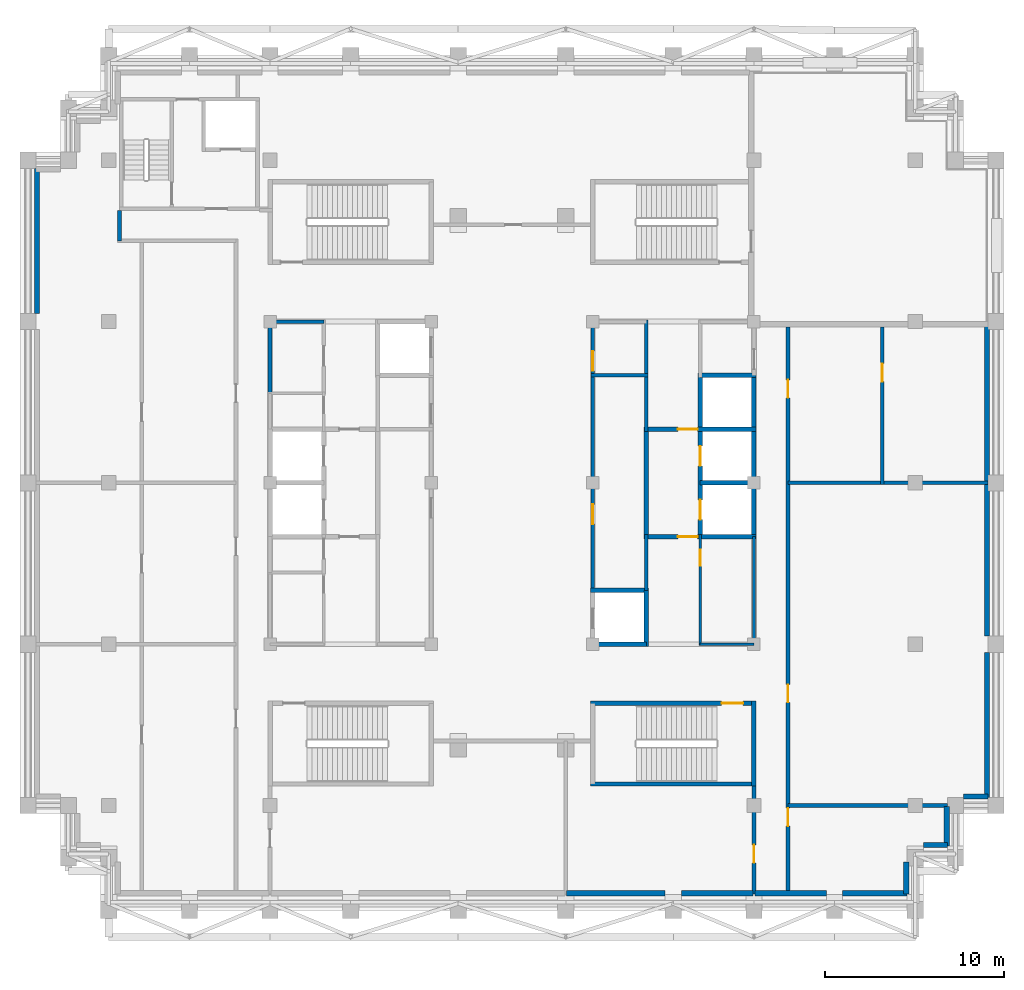
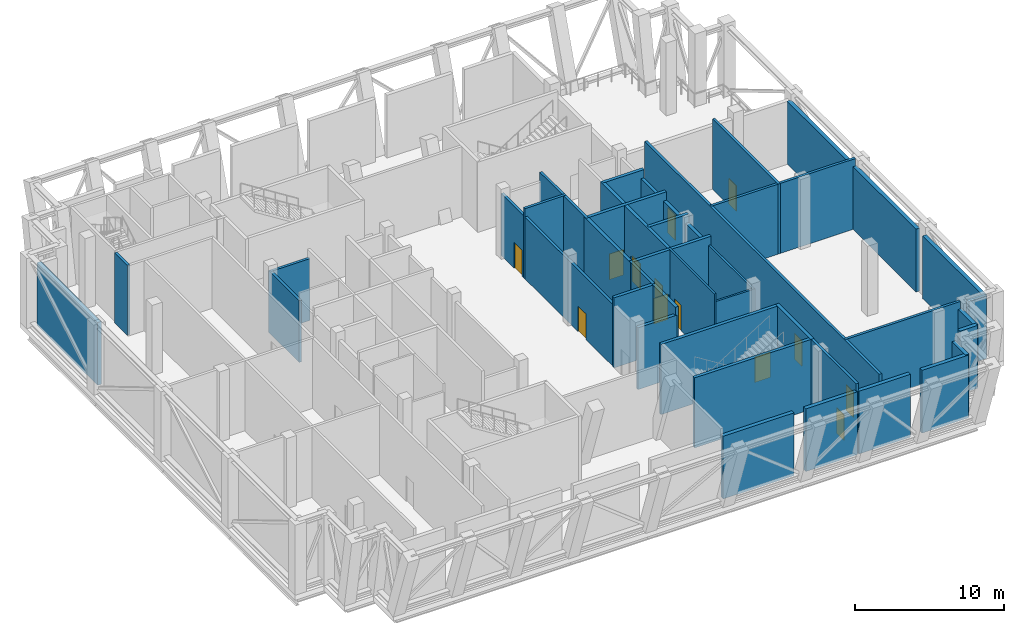
# One storey, part 5 of 9: 40 walls, 13 doors, 13 openings.
"""IFC4 building model written with IfcOpenShell, lengths in metres."""

from ifc_helpers import new_model, si_unit, direction, frame, frame_2d, origin, place, context, subcontext, project, spatial, rectangle, extrude, material, layer, layer_set, type_object, element, fill, save


model = new_model("IFC4")

# Units and contexts
model_context = context("Model", 3, precision=1e-05, world=origin(), true_north=direction((0.0, 1.0)))
body_context = subcontext(model_context, "Body", "Model", "MODEL_VIEW")
ifc_project = project(units=[si_unit("LENGTHUNIT", "METRE"), si_unit("AREAUNIT", "SQUARE_METRE"), si_unit("VOLUMEUNIT", "CUBIC_METRE"), si_unit("PLANEANGLEUNIT", "RADIAN"), si_unit("MASSUNIT", "GRAM", prefix="KILO")], contexts=[model_context])

# Site, building, storey
site_placement = place(None, origin())
site = spatial("IfcSite", under=ifc_project, at=site_placement, CompositionType="ELEMENT")
building_placement = place(site_placement, origin())
building = spatial("IfcBuilding", under=site, at=building_placement, Name="Corbelhall Arena Tower", CompositionType="ELEMENT")
storey_placement = place(building_placement, frame((0.0, 0.0, 320.0)))
storey = spatial("IfcBuildingStorey", under=building, at=storey_placement, Name="L70", CompositionType="ELEMENT", Elevation=320.0)

# Walls
ifc_material_1 = material(Name="Precast concrete C40/50 with granite facing", Category="masonry")
ifc_layer_1 = layer(ifc_material_1, 0.300048828125)
ifc_layer_set_1 = layer_set([ifc_layer_1], Name="EV-IW1 Infill panel 300")
wall_type_1 = type_object("IfcWallType", Name="EV-IW1 Infill panel 300", PredefinedType="SOLIDWALL", material=ifc_layer_set_1)
wall_1_placement = place(storey_placement, frame((-26.5, 17.550048828125, 0.0), z_axis=(0.0, 0.0, 1.0), x_axis=(0.0, -1.0, 0.0)))
element("IfcWall", 1, at=wall_1_placement, inside=storey, type_object=wall_type_1, Name="Infill panel IW1", PredefinedType="SOLIDWALL", context=body_context, shape_type="SweptSolid", body=[
    extrude(rectangle(XDim=8.10009765625, YDim=0.300048828125, at=frame_2d((4.050048828125, 0.0))), origin(), (0.0, 0.0, 1.0), 5.139892578125),
])
wall_2_placement = place(storey_placement, frame((3.050048828125, -22.89990234375, 0.0), z_axis=(0.0, 0.0, 1.0), x_axis=(1.0, 0.0, 0.0)))
element("IfcWall", 2, at=wall_2_placement, inside=storey, type_object=wall_type_1, Name="Infill panel IW1", PredefinedType="SOLIDWALL", context=body_context, shape_type="SweptSolid", body=[
    extrude(rectangle(XDim=5.5, YDim=0.300048828125, at=frame_2d((2.75, 0.0))), origin(), (0.0, 0.0, 1.0), 5.139892578125),
])
for number, where, z_axis, x_axis, name in (
    (3, (9.449951171875, -22.89990234375, 0.0), (0.0, 0.0, 1.0), (1.0, 0.0, 0.0), "Infill panel IW1"),
    (4, (13.550048828125, -22.89990234375, 0.0), (0.0, 0.0, 1.0), (1.0, 0.0, 0.0), "Infill panel IW1"),
):
    element("IfcWall", number, at=place(storey_placement, frame(where, z_axis=z_axis, x_axis=x_axis)), inside=storey, type_object=wall_type_1, Name=name, PredefinedType="SOLIDWALL", context=body_context, shape_type="SweptSolid", body=[
        extrude(rectangle(XDim=4.0, YDim=0.300048828125, at=frame_2d((2.0, 0.0))), origin(), (0.0, 0.0, 1.0), 5.139892578125),
    ])
wall_3_placement = place(storey_placement, frame((18.449951171875, -22.89990234375, 0.0), z_axis=(0.0, 0.0, 1.0), x_axis=(1.0, 0.0, 0.0)))
element("IfcWall", 5, at=wall_3_placement, inside=storey, type_object=wall_type_1, Name="Infill panel IW1", PredefinedType="SOLIDWALL", context=body_context, shape_type="SweptSolid", body=[
    extrude(rectangle(XDim=3.60009765625, YDim=0.300048828125, at=frame_2d((1.800048828125, 0.0))), origin(), (0.0, 0.0, 1.0), 5.139892578125),
])
wall_4_placement = place(storey_placement, frame((22.0, -22.949951171875, 0.0), z_axis=(0.0, 0.0, 1.0), x_axis=(0.0, 1.0, 0.0)))
element("IfcWall", 6, at=wall_4_placement, inside=storey, type_object=wall_type_1, Name="Infill panel IW1", PredefinedType="SOLIDWALL", context=body_context, shape_type="SweptSolid", body=[
    extrude(rectangle(XDim=1.800048828125, YDim=0.300048828125, at=frame_2d((0.89990234375, 0.0))), origin(), (0.0, 0.0, 1.0), 5.139892578125),
])
wall_5_placement = place(storey_placement, frame((22.949951171875, -20.199951171875, 0.0), z_axis=(0.0, 0.0, 1.0), x_axis=(1.0, 0.0, 0.0)))
element("IfcWall", 7, at=wall_5_placement, inside=storey, type_object=wall_type_1, Name="Infill panel IW1", PredefinedType="SOLIDWALL", context=body_context, shape_type="SweptSolid", body=[
    extrude(rectangle(XDim=1.35009765625, YDim=0.300048828125, at=frame_2d((0.675048828125, 0.0))), origin(), (0.0, 0.0, 1.0), 5.139892578125),
])
wall_6_placement = place(storey_placement, frame((24.25, -20.25, 0.0), z_axis=(0.0, 0.0, 1.0), x_axis=(0.0, 1.0, 0.0)))
element("IfcWall", 8, at=wall_6_placement, inside=storey, type_object=wall_type_1, Name="Infill panel IW1", PredefinedType="SOLIDWALL", context=body_context, shape_type="SweptSolid", body=[
    extrude(rectangle(XDim=2.199951171875, YDim=0.300048828125, at=frame_2d((1.10009765625, 0.0))), origin(), (0.0, 0.0, 1.0), 5.139892578125),
])
wall_7_placement = place(storey_placement, frame((25.199951171875, -17.5, 0.0), z_axis=(0.0, 0.0, 1.0), x_axis=(1.0, 0.0, 0.0)))
element("IfcWall", 9, at=wall_7_placement, inside=storey, type_object=wall_type_1, Name="Infill panel IW1", PredefinedType="SOLIDWALL", context=body_context, shape_type="SweptSolid", body=[
    extrude(rectangle(XDim=1.35009765625, YDim=0.300048828125, at=frame_2d((0.675048828125, 0.0))), origin(), (0.0, 0.0, 1.0), 5.139892578125),
])
wall_8_placement = place(storey_placement, frame((26.5, -17.550048828125, 0.0), z_axis=(0.0, 0.0, 1.0), x_axis=(0.0, 1.0, 0.0)))
element("IfcWall", 10, at=wall_8_placement, inside=storey, type_object=wall_type_1, Name="Infill panel IW1", PredefinedType="SOLIDWALL", context=body_context, shape_type="SweptSolid", body=[
    extrude(rectangle(XDim=8.10009765625, YDim=0.300048828125, at=frame_2d((4.050048828125, 0.0))), origin(), (0.0, 0.0, 1.0), 5.139892578125),
])
wall_9_placement = place(storey_placement, frame((26.5, -8.550048828125, 0.0), z_axis=(0.0, 0.0, 1.0), x_axis=(0.0, 1.0, 0.0)))
element("IfcWall", 11, at=wall_9_placement, inside=storey, type_object=wall_type_1, Name="Infill panel IW1", PredefinedType="SOLIDWALL", context=body_context, shape_type="SweptSolid", body=[
    extrude(rectangle(XDim=8.5, YDim=0.300048828125, at=frame_2d((4.25, 0.0))), origin(), (0.0, 0.0, 1.0), 5.139892578125),
])
wall_10_placement = place(storey_placement, frame((26.5, 0.050048828125, 0.0), z_axis=(0.0, 0.0, 1.0), x_axis=(0.0, 1.0, 0.0)))
element("IfcWall", 12, at=wall_10_placement, inside=storey, type_object=wall_type_1, Name="Infill panel IW1", PredefinedType="SOLIDWALL", context=body_context, shape_type="SweptSolid", body=[
    extrude(rectangle(XDim=8.699951171875, YDim=0.300048828125, at=frame_2d((4.35009765625, 0.0))), origin(), (0.0, 0.0, 1.0), 5.139892578125),
])
ifc_material_2 = material(Name="Gypsum board on steel stud, acoustic", Category="steel")
ifc_layer_2 = layer(ifc_material_2, 0.199951171875)
ifc_layer_set_2 = layer_set([ifc_layer_2], Name="IN-W-DM200")
wall_type_2 = type_object("IfcWallType", Name="IN-W-DM200", PredefinedType="PARTITIONING", material=ifc_layer_set_2)
wall_11_placement = place(storey_placement, frame((-21.89990234375, 13.5, 0.0), z_axis=(0.0, 0.0, 1.0), x_axis=(0.0, 1.0, 0.0)))
element("IfcWall", 13, at=wall_11_placement, inside=storey, type_object=wall_type_2, Name="Partition 002", PredefinedType="PARTITIONING", context=body_context, shape_type="SweptSolid", body=[
    extrude(rectangle(XDim=1.699951171875, YDim=0.199951171875, at=frame_2d((0.85009765625, 0.0))), origin(), (0.0, 0.0, 1.0), 5.739990234375),
])

# Wall, opening, door
wall_12_placement = place(storey_placement, frame((13.5, -22.949951171875, 0.0), z_axis=(0.0, 0.0, 1.0), x_axis=(0.0, 1.0, 0.0)))
wall_12 = element("IfcWall", 14, at=wall_12_placement, inside=storey, type_object=wall_type_2, Name="Partition 014", PredefinedType="PARTITIONING", context=body_context, shape_type="SweptSolid", body=[
    extrude(rectangle(XDim=6.27490234375, YDim=0.199951171875, at=frame_2d((3.137451171875, 0.0))), origin(), (0.0, 0.0, 1.0), 5.739990234375),
])
opening_1_placement = place(wall_12_placement, frame((1.75, 0.0, 0.0)))
opening_1 = element("IfcOpeningElement", 15, at=opening_1_placement, cuts=wall_12, Name="Opening 30020", PredefinedType="OPENING", context=body_context, shape_type="SweptSolid", body=[
    extrude(rectangle(XDim=1.0, YDim=2.10009765625, at=frame_2d((0.5, 1.050048828125))), frame((0.0, 0.10009765625, 0.0), z_axis=(0.0, -1.0, 0.0), x_axis=(1.0, 0.0, 0.0)), (0.0, 0.0, 1.0), 0.199951171875),
])
ifc_material_3 = material(Name="Steel door set", Category="steel")
door_type_1 = type_object("IfcDoorType", Name="IN-D-SW100", OperationType="NOTDEFINED", PredefinedType="DOOR", material=ifc_material_3)
door_1_placement = place(opening_1_placement, origin())
door_1 = element("IfcDoor", 16, at=door_1_placement, inside=storey, type_object=door_type_1, Name="Door 020", OperationType="SINGLE_SWING_LEFT", OverallHeight=2.10009765625, OverallWidth=1.0, PredefinedType="DOOR", context=body_context, shape_type="SweptSolid", body=[
    extrude(rectangle(XDim=1.0, YDim=2.10009765625, at=frame_2d((0.5, 1.050048828125))), frame((0.0, 0.02490234375, 0.0), z_axis=(0.0, -1.0, 0.0), x_axis=(1.0, 0.0, 0.0)), (0.0, 0.0, 1.0), 0.050048828125),
])
fill(opening_1, door_1)

# Wall
wall_13_placement = place(storey_placement, frame((15.39990234375, -18.0, 0.0), z_axis=(0.0, 0.0, 1.0), x_axis=(1.0, 0.0, 0.0)))
element("IfcWall", 17, at=wall_13_placement, inside=storey, type_object=wall_type_2, Name="Partition 015", PredefinedType="PARTITIONING", context=body_context, shape_type="SweptSolid", body=[
    extrude(rectangle(XDim=8.900146484375, YDim=0.199951171875, at=frame_2d((4.4501953125, 0.0))), origin(), (0.0, 0.0, 1.0), 5.739990234375),
])

# Wall, openings, doors
wall_14_placement = place(storey_placement, frame((15.39990234375, 8.699951171875, 0.0), z_axis=(0.0, 0.0, 1.0), x_axis=(0.0, -1.0, 0.0)))
wall_14 = element("IfcWall", 18, at=wall_14_placement, inside=storey, type_object=wall_type_2, Name="Partition 016", PredefinedType="PARTITIONING", context=body_context, shape_type="SweptSolid", body=[
    extrude(rectangle(XDim=31.449951171875, YDim=0.199951171875, at=frame_2d((15.72509765625, 0.0))), origin(), (0.0, 0.0, 1.0), 5.739990234375),
])
opening_2_placement = place(wall_14_placement, frame((2.949951171875, 0.0, 0.0)))
opening_2 = element("IfcOpeningElement", 19, at=opening_2_placement, cuts=wall_14, Name="Opening 30027", PredefinedType="OPENING", context=body_context, shape_type="SweptSolid", body=[
    extrude(rectangle(XDim=1.0, YDim=2.10009765625, at=frame_2d((0.5, 1.050048828125))), frame((0.0, 0.10009765625, 0.0), z_axis=(0.0, -1.0, 0.0), x_axis=(1.0, 0.0, 0.0)), (0.0, 0.0, 1.0), 0.199951171875),
])
opening_3_placement = place(wall_14_placement, frame((26.85009765625, 0.0, 0.0)))
opening_3 = element("IfcOpeningElement", 20, at=opening_3_placement, cuts=wall_14, Name="Opening 30029", PredefinedType="OPENING", context=body_context, shape_type="SweptSolid", body=[
    extrude(rectangle(XDim=1.0, YDim=2.10009765625, at=frame_2d((0.5, 1.050048828125))), frame((0.0, 0.10009765625, 0.0), z_axis=(0.0, -1.0, 0.0), x_axis=(1.0, 0.0, 0.0)), (0.0, 0.0, 1.0), 0.199951171875),
])
opening_4_placement = place(wall_14_placement, frame((19.949951171875, 0.0, 0.0)))
opening_4 = element("IfcOpeningElement", 21, at=opening_4_placement, cuts=wall_14, Name="Opening 30030", PredefinedType="OPENING", context=body_context, shape_type="SweptSolid", body=[
    extrude(rectangle(XDim=1.0, YDim=2.10009765625, at=frame_2d((0.5, 1.050048828125))), frame((0.0, 0.10009765625, 0.0), z_axis=(0.0, -1.0, 0.0), x_axis=(1.0, 0.0, 0.0)), (0.0, 0.0, 1.0), 0.199951171875),
])
door_2_placement = place(opening_2_placement, origin())
door_2 = element("IfcDoor", 22, at=door_2_placement, inside=storey, type_object=door_type_1, Name="Door 027", OperationType="SINGLE_SWING_RIGHT", OverallHeight=2.10009765625, OverallWidth=1.0, PredefinedType="DOOR", context=body_context, shape_type="SweptSolid", body=[
    extrude(rectangle(XDim=1.0, YDim=2.10009765625, at=frame_2d((0.5, 1.050048828125))), frame((0.0, 0.02490234375, 0.0), z_axis=(0.0, -1.0, 0.0), x_axis=(1.0, 0.0, 0.0)), (0.0, 0.0, 1.0), 0.050048828125),
])
fill(opening_2, door_2)
door_3_placement = place(opening_3_placement, origin())
door_3 = element("IfcDoor", 23, at=door_3_placement, inside=storey, type_object=door_type_1, Name="Door 029", OperationType="SINGLE_SWING_RIGHT", OverallHeight=2.10009765625, OverallWidth=1.0, PredefinedType="DOOR", context=body_context, shape_type="SweptSolid", body=[
    extrude(rectangle(XDim=1.0, YDim=2.10009765625, at=frame_2d((0.5, 1.050048828125))), frame((0.0, 0.02490234375, 0.0), z_axis=(0.0, -1.0, 0.0), x_axis=(1.0, 0.0, 0.0)), (0.0, 0.0, 1.0), 0.050048828125),
])
fill(opening_3, door_3)
door_4_placement = place(opening_4_placement, origin())
door_4 = element("IfcDoor", 24, at=door_4_placement, inside=storey, type_object=door_type_1, Name="Door 030", OperationType="SINGLE_SWING_LEFT", OverallHeight=2.10009765625, OverallWidth=1.0, PredefinedType="DOOR", context=body_context, shape_type="SweptSolid", body=[
    extrude(rectangle(XDim=1.0, YDim=2.10009765625, at=frame_2d((0.5, 1.050048828125))), frame((0.0, 0.02490234375, 0.0), z_axis=(0.0, -1.0, 0.0), x_axis=(1.0, 0.0, 0.0)), (0.0, 0.0, 1.0), 0.050048828125),
])
fill(opening_4, door_4)

# Wall
wall_15_placement = place(storey_placement, frame((26.550048828125, 0.0, 0.0), z_axis=(0.0, 0.0, 1.0), x_axis=(-1.0, 0.0, 0.0)))
element("IfcWall", 25, at=wall_15_placement, inside=storey, type_object=wall_type_2, Name="Partition 017", PredefinedType="PARTITIONING", context=body_context, shape_type="SweptSolid", body=[
    extrude(rectangle(XDim=11.150146484375, YDim=0.199951171875, at=frame_2d((5.5751953125, 0.0))), origin(), (0.0, 0.0, 1.0), 5.739990234375),
])

# Wall, opening, door
wall_16_placement = place(storey_placement, frame((20.64990234375, 8.699951171875, 0.0), z_axis=(0.0, 0.0, 1.0), x_axis=(0.0, -1.0, 0.0)))
wall_16 = element("IfcWall", 26, at=wall_16_placement, inside=storey, type_object=wall_type_2, Name="Partition 018", PredefinedType="PARTITIONING", context=body_context, shape_type="SweptSolid", body=[
    extrude(rectangle(XDim=8.800048828125, YDim=0.199951171875, at=frame_2d((4.39990234375, 0.0))), origin(), (0.0, 0.0, 1.0), 5.739990234375),
])
opening_5_placement = place(wall_16_placement, frame((2.050048828125, 0.0, 0.0)))
opening_5 = element("IfcOpeningElement", 27, at=opening_5_placement, cuts=wall_16, Name="Opening 30028", PredefinedType="OPENING", context=body_context, shape_type="SweptSolid", body=[
    extrude(rectangle(XDim=1.0, YDim=2.10009765625, at=frame_2d((0.5, 1.050048828125))), frame((0.0, 0.10009765625, 0.0), z_axis=(0.0, -1.0, 0.0), x_axis=(1.0, 0.0, 0.0)), (0.0, 0.0, 1.0), 0.199951171875),
])
door_5_placement = place(opening_5_placement, origin())
door_5 = element("IfcDoor", 28, at=door_5_placement, inside=storey, type_object=door_type_1, Name="Door 028", OperationType="SINGLE_SWING_LEFT", OverallHeight=2.10009765625, OverallWidth=1.0, PredefinedType="DOOR", context=body_context, shape_type="SweptSolid", body=[
    extrude(rectangle(XDim=1.0, YDim=2.10009765625, at=frame_2d((0.5, 1.050048828125))), frame((0.0, 0.02490234375, 0.0), z_axis=(0.0, -1.0, 0.0), x_axis=(1.0, 0.0, 0.0)), (0.0, 0.0, 1.0), 0.050048828125),
])
fill(opening_5, door_5)

# Walls
ifc_material_4 = material(Name="Concrete block wall", Category="concrete")
ifc_layer_3 = layer(ifc_material_4, 0.199951171875)
ifc_layer_set_3 = layer_set([ifc_layer_3], Name="IN-W-RS200")
wall_type_3 = type_object("IfcWallType", Name="IN-W-RS200", PredefinedType="SOLIDWALL", material=ifc_layer_set_3)
wall_17_placement = place(storey_placement, frame((4.39990234375, 6.0, 0.0), z_axis=(0.0, 0.0, 1.0), x_axis=(1.0, 0.0, 0.0)))
element("IfcWall", 29, at=wall_17_placement, inside=storey, type_object=wall_type_3, Name="Partition 029", PredefinedType="SOLIDWALL", context=body_context, shape_type="SweptSolid", body=[
    extrude(rectangle(XDim=3.2001953125, YDim=0.199951171875, at=frame_2d((1.60009765625, 0.0))), origin(), (0.0, 0.0, 1.0), 5.739990234375),
])
wall_18_placement = place(storey_placement, frame((7.5, -2.875, 0.0), z_axis=(0.0, 0.0, 1.0), x_axis=(0.0, -1.0, 0.0)))
element("IfcWall", 30, at=wall_18_placement, inside=storey, type_object=wall_type_3, Name="Partition 032", PredefinedType="SOLIDWALL", context=body_context, shape_type="SweptSolid", body=[
    extrude(rectangle(XDim=3.125, YDim=0.199951171875, at=frame_2d((1.5625, 0.0))), origin(), (0.0, 0.0, 1.0), 5.739990234375),
])
wall_19_placement = place(storey_placement, frame((7.5, 9.10009765625, 0.0), z_axis=(0.0, 0.0, 1.0), x_axis=(0.0, -1.0, 0.0)))
element("IfcWall", 31, at=wall_19_placement, inside=storey, type_object=wall_type_3, Name="Partition 033", PredefinedType="SOLIDWALL", context=body_context, shape_type="SweptSolid", body=[
    extrude(rectangle(XDim=6.22509765625, YDim=0.199951171875, at=frame_2d((3.112548828125, 0.0))), origin(), (0.0, 0.0, 1.0), 5.739990234375),
])
ifc_layer_4 = layer(ifc_material_4, 0.199951171875)
ifc_layer_set_4 = layer_set([ifc_layer_4], Name="IN-W-RS200 under beam 678 mm")
wall_type_4 = type_object("IfcWallType", Name="IN-W-RS200 under beam 678 mm", PredefinedType="SOLIDWALL", material=ifc_layer_set_4)
wall_20_placement = place(storey_placement, frame((-13.5, 5.0, 0.0), z_axis=(0.0, 0.0, 1.0), x_axis=(0.0, 1.0, 0.0)))
element("IfcWall", 32, at=wall_20_placement, inside=storey, type_object=wall_type_4, Name="Partition 020", PredefinedType="SOLIDWALL", context=body_context, shape_type="SweptSolid", body=[
    extrude(rectangle(XDim=4.10009765625, YDim=0.199951171875, at=frame_2d((2.050048828125, 0.0))), origin(), (0.0, 0.0, 1.0), 5.061767578125),
])
wall_21_placement = place(storey_placement, frame((-13.5, 9.0, 0.0), z_axis=(0.0, 0.0, 1.0), x_axis=(1.0, 0.0, 0.0)))
element("IfcWall", 33, at=wall_21_placement, inside=storey, type_object=wall_type_4, Name="Partition 021", PredefinedType="SOLIDWALL", context=body_context, shape_type="SweptSolid", body=[
    extrude(rectangle(XDim=3.0, YDim=0.199951171875, at=frame_2d((1.5, 0.0))), origin(), (0.0, 0.0, 1.0), 5.061767578125),
])

# Wall, openings, doors
wall_22_placement = place(storey_placement, frame((4.5, -6.0, 0.0), z_axis=(0.0, 0.0, 1.0), x_axis=(0.0, 1.0, 0.0)))
wall_22 = element("IfcWall", 34, at=wall_22_placement, inside=storey, type_object=wall_type_4, Name="Partition 030", PredefinedType="SOLIDWALL", context=body_context, shape_type="SweptSolid", body=[
    extrude(rectangle(XDim=15.10009765625, YDim=0.199951171875, at=frame_2d((7.550048828125, 0.0))), origin(), (0.0, 0.0, 1.0), 5.061767578125),
])
opening_6_placement = place(wall_22_placement, frame((3.699951171875, 0.0, 0.0)))
opening_6 = element("IfcOpeningElement", 35, at=opening_6_placement, cuts=wall_22, Name="Opening 30009", PredefinedType="OPENING", context=body_context, shape_type="SweptSolid", body=[
    extrude(rectangle(XDim=1.10009765625, YDim=2.10009765625, at=frame_2d((0.550048828125, 1.050048828125))), frame((0.0, 0.10009765625, 0.0), z_axis=(0.0, -1.0, 0.0), x_axis=(1.0, 0.0, 0.0)), (0.0, 0.0, 1.0), 0.199951171875),
])
opening_7_placement = place(wall_22_placement, frame((12.25, 0.0, 0.0)))
opening_7 = element("IfcOpeningElement", 36, at=opening_7_placement, cuts=wall_22, Name="Opening 30010", PredefinedType="OPENING", context=body_context, shape_type="SweptSolid", body=[
    extrude(rectangle(XDim=1.10009765625, YDim=2.10009765625, at=frame_2d((0.550048828125, 1.050048828125))), frame((0.0, 0.10009765625, 0.0), z_axis=(0.0, -1.0, 0.0), x_axis=(1.0, 0.0, 0.0)), (0.0, 0.0, 1.0), 0.199951171875),
])
door_type_2 = type_object("IfcDoorType", Name="IN-D-FD110", OperationType="NOTDEFINED", PredefinedType="DOOR", material=ifc_material_3)
door_6_placement = place(opening_6_placement, origin())
door_6 = element("IfcDoor", 37, at=door_6_placement, inside=storey, type_object=door_type_2, Name="Door 009", OperationType="SINGLE_SWING_RIGHT", OverallHeight=2.10009765625, OverallWidth=1.10009765625, PredefinedType="DOOR", context=body_context, shape_type="SweptSolid", body=[
    extrude(rectangle(XDim=1.10009765625, YDim=2.10009765625, at=frame_2d((0.550048828125, 1.050048828125))), frame((0.0, 0.02490234375, 0.0), z_axis=(0.0, -1.0, 0.0), x_axis=(1.0, 0.0, 0.0)), (0.0, 0.0, 1.0), 0.050048828125),
])
fill(opening_6, door_6)
door_7_placement = place(opening_7_placement, origin())
door_7 = element("IfcDoor", 38, at=door_7_placement, inside=storey, type_object=door_type_2, Name="Door 010", OperationType="SINGLE_SWING_LEFT", OverallHeight=2.10009765625, OverallWidth=1.10009765625, PredefinedType="DOOR", context=body_context, shape_type="SweptSolid", body=[
    extrude(rectangle(XDim=1.10009765625, YDim=2.10009765625, at=frame_2d((0.550048828125, 1.050048828125))), frame((0.0, 0.02490234375, 0.0), z_axis=(0.0, -1.0, 0.0), x_axis=(1.0, 0.0, 0.0)), (0.0, 0.0, 1.0), 0.050048828125),
])
fill(opening_7, door_7)

# Walls
ifc_material_5 = material(Name="Concrete C40/50", Category="concrete")
ifc_layer_5 = layer(ifc_material_5, 0.25)
ifc_layer_set_5 = layer_set([ifc_layer_5], Name="IN-W-SH250")
wall_type_5 = type_object("IfcWallType", Name="IN-W-SH250", PredefinedType="SOLIDWALL", material=ifc_layer_set_5)
wall_23_placement = place(storey_placement, frame((4.375, -6.0, 0.0), z_axis=(0.0, 0.0, 1.0), x_axis=(1.0, 0.0, 0.0)))
element("IfcWall", 39, at=wall_23_placement, inside=storey, type_object=wall_type_5, Name="Shaft wall 047", PredefinedType="SOLIDWALL", context=body_context, shape_type="SweptSolid", body=[
    extrude(rectangle(XDim=3.25, YDim=0.25, at=frame_2d((1.625, 0.0))), origin(), (0.0, 0.0, 1.0), 5.739990234375),
])
wall_24_placement = place(storey_placement, frame((7.5, -6.0, 0.0), z_axis=(0.0, 0.0, 1.0), x_axis=(0.0, -1.0, 0.0)))
element("IfcWall", 40, at=wall_24_placement, inside=storey, type_object=wall_type_5, Name="Shaft wall 050", PredefinedType="SOLIDWALL", context=body_context, shape_type="SweptSolid", body=[
    extrude(rectangle(XDim=3.125, YDim=0.25, at=frame_2d((1.5625, 0.0))), origin(), (0.0, 0.0, 1.0), 5.739990234375),
])

# Wall, opening, door
wall_25_placement = place(storey_placement, frame((7.5, -3.0, 0.0), z_axis=(0.0, 0.0, 1.0), x_axis=(1.0, 0.0, 0.0)))
wall_25 = element("IfcWall", 41, at=wall_25_placement, inside=storey, type_object=wall_type_5, Name="Shaft wall 051", PredefinedType="SOLIDWALL", context=body_context, shape_type="SweptSolid", body=[
    extrude(rectangle(XDim=6.125, YDim=0.25, at=frame_2d((3.0625, 0.0))), origin(), (0.0, 0.0, 1.0), 5.739990234375),
])
opening_8_placement = place(wall_25_placement, frame((1.75, 0.0, 0.0)))
opening_8 = element("IfcOpeningElement", 42, at=opening_8_placement, cuts=wall_25, Name="Opening 30011", PredefinedType="OPENING", context=body_context, shape_type="SweptSolid", body=[
    extrude(rectangle(XDim=1.10009765625, YDim=2.10009765625, at=frame_2d((0.550048828125, 1.050048828125))), frame((0.0, 0.125, 0.0), z_axis=(0.0, -1.0, 0.0), x_axis=(1.0, 0.0, 0.0)), (0.0, 0.0, 1.0), 0.25),
])
door_8_placement = place(opening_8_placement, origin())
door_8 = element("IfcDoor", 43, at=door_8_placement, inside=storey, type_object=door_type_2, Name="Door 011", OperationType="SINGLE_SWING_RIGHT", OverallHeight=2.10009765625, OverallWidth=1.10009765625, PredefinedType="DOOR", context=body_context, shape_type="SweptSolid", body=[
    extrude(rectangle(XDim=1.10009765625, YDim=2.10009765625, at=frame_2d((0.550048828125, 1.050048828125))), frame((0.0, 0.02490234375, 0.0), z_axis=(0.0, -1.0, 0.0), x_axis=(1.0, 0.0, 0.0)), (0.0, 0.0, 1.0), 0.050048828125),
])
fill(opening_8, door_8)

wall_26_placement = place(storey_placement, frame((7.5, 3.0, 0.0), z_axis=(0.0, 0.0, 1.0), x_axis=(1.0, 0.0, 0.0)))
wall_26 = element("IfcWall", 44, at=wall_26_placement, inside=storey, type_object=wall_type_5, Name="Shaft wall 052", PredefinedType="SOLIDWALL", context=body_context, shape_type="SweptSolid", body=[
    extrude(rectangle(XDim=6.125, YDim=0.25, at=frame_2d((3.0625, 0.0))), origin(), (0.0, 0.0, 1.0), 5.739990234375),
])
opening_9_placement = place(wall_26_placement, frame((1.75, 0.0, 0.0)))
opening_9 = element("IfcOpeningElement", 45, at=opening_9_placement, cuts=wall_26, Name="Opening 30012", PredefinedType="OPENING", context=body_context, shape_type="SweptSolid", body=[
    extrude(rectangle(XDim=1.10009765625, YDim=2.10009765625, at=frame_2d((0.550048828125, 1.050048828125))), frame((0.0, 0.125, 0.0), z_axis=(0.0, -1.0, 0.0), x_axis=(1.0, 0.0, 0.0)), (0.0, 0.0, 1.0), 0.25),
])
door_9_placement = place(opening_9_placement, origin())
door_9 = element("IfcDoor", 46, at=door_9_placement, inside=storey, type_object=door_type_2, Name="Door 012", OperationType="SINGLE_SWING_LEFT", OverallHeight=2.10009765625, OverallWidth=1.10009765625, PredefinedType="DOOR", context=body_context, shape_type="SweptSolid", body=[
    extrude(rectangle(XDim=1.10009765625, YDim=2.10009765625, at=frame_2d((0.550048828125, 1.050048828125))), frame((0.0, 0.02490234375, 0.0), z_axis=(0.0, -1.0, 0.0), x_axis=(1.0, 0.0, 0.0)), (0.0, 0.0, 1.0), 0.050048828125),
])
fill(opening_9, door_9)

# Walls
wall_27_placement = place(storey_placement, frame((7.5, 3.125, 0.0), z_axis=(0.0, 0.0, 1.0), x_axis=(0.0, -1.0, 0.0)))
element("IfcWall", 47, at=wall_27_placement, inside=storey, type_object=wall_type_5, Name="Shaft wall 053", PredefinedType="SOLIDWALL", context=body_context, shape_type="SweptSolid", body=[
    extrude(rectangle(XDim=6.25, YDim=0.25, at=frame_2d((3.125, 0.0))), origin(), (0.0, 0.0, 1.0), 5.739990234375),
])
wall_28_placement = place(storey_placement, frame((10.5, 0.0, 0.0), z_axis=(0.0, 0.0, 1.0), x_axis=(1.0, 0.0, 0.0)))
element("IfcWall", 48, at=wall_28_placement, inside=storey, type_object=wall_type_5, Name="Shaft wall 054", PredefinedType="SOLIDWALL", context=body_context, shape_type="SweptSolid", body=[
    extrude(rectangle(XDim=3.125, YDim=0.25, at=frame_2d((1.5625, 0.0))), origin(), (0.0, 0.0, 1.0), 5.739990234375),
])

# Wall, openings, doors
wall_29_placement = place(storey_placement, frame((10.5, 6.125, 0.0), z_axis=(0.0, 0.0, 1.0), x_axis=(0.0, -1.0, 0.0)))
wall_29 = element("IfcWall", 49, at=wall_29_placement, inside=storey, type_object=wall_type_5, Name="Shaft wall 055", PredefinedType="SOLIDWALL", context=body_context, shape_type="SweptSolid", body=[
    extrude(rectangle(XDim=9.25, YDim=0.25, at=frame_2d((4.625, 0.0))), origin(), (0.0, 0.0, 1.0), 5.739990234375),
])
opening_10_placement = place(wall_29_placement, frame((7.074951171875, 0.0, 0.0)))
opening_10 = element("IfcOpeningElement", 50, at=opening_10_placement, cuts=wall_29, Name="Opening LD", PredefinedType="OPENING", context=body_context, shape_type="SweptSolid", body=[
    extrude(rectangle(XDim=1.10009765625, YDim=2.10009765625, at=frame_2d((0.550048828125, 1.050048828125))), frame((0.0, 0.125, 0.0), z_axis=(0.0, -1.0, 0.0), x_axis=(1.0, 0.0, 0.0)), (0.0, 0.0, 1.0), 0.25),
])
opening_11_placement = place(wall_29_placement, frame((4.074951171875, 0.0, 0.0)))
opening_11 = element("IfcOpeningElement", 51, at=opening_11_placement, cuts=wall_29, Name="Opening LD", PredefinedType="OPENING", context=body_context, shape_type="SweptSolid", body=[
    extrude(rectangle(XDim=1.10009765625, YDim=2.10009765625, at=frame_2d((0.550048828125, 1.050048828125))), frame((0.0, 0.125, 0.0), z_axis=(0.0, -1.0, 0.0), x_axis=(1.0, 0.0, 0.0)), (0.0, 0.0, 1.0), 0.25),
])
door_type_3 = type_object("IfcDoorType", Name="IN-D-LD110", OperationType="NOTDEFINED", PredefinedType="DOOR", material=ifc_material_3)
door_10_placement = place(opening_10_placement, origin())
door_10 = element("IfcDoor", 52, at=door_10_placement, inside=storey, type_object=door_type_3, Name="Landing door E3", OperationType="SLIDING_TO_LEFT", OverallHeight=2.10009765625, OverallWidth=1.10009765625, PredefinedType="DOOR", context=body_context, shape_type="SweptSolid", body=[
    extrude(rectangle(XDim=1.10009765625, YDim=2.10009765625, at=frame_2d((0.550048828125, 1.050048828125))), frame((0.0, 0.02490234375, 0.0), z_axis=(0.0, -1.0, 0.0), x_axis=(1.0, 0.0, 0.0)), (0.0, 0.0, 1.0), 0.050048828125),
])
fill(opening_10, door_10)
door_11_placement = place(opening_11_placement, origin())
door_11 = element("IfcDoor", 53, at=door_11_placement, inside=storey, type_object=door_type_3, Name="Landing door E4", OperationType="SLIDING_TO_LEFT", OverallHeight=2.10009765625, OverallWidth=1.10009765625, PredefinedType="DOOR", context=body_context, shape_type="SweptSolid", body=[
    extrude(rectangle(XDim=1.10009765625, YDim=2.10009765625, at=frame_2d((0.550048828125, 1.050048828125))), frame((0.0, 0.02490234375, 0.0), z_axis=(0.0, -1.0, 0.0), x_axis=(1.0, 0.0, 0.0)), (0.0, 0.0, 1.0), 0.050048828125),
])
fill(opening_11, door_11)

# Walls
wall_30_placement = place(storey_placement, frame((10.5, 6.0, 0.0), z_axis=(0.0, 0.0, 1.0), x_axis=(1.0, 0.0, 0.0)))
element("IfcWall", 54, at=wall_30_placement, inside=storey, type_object=wall_type_5, Name="Shaft wall 056", PredefinedType="SOLIDWALL", context=body_context, shape_type="SweptSolid", body=[
    extrude(rectangle(XDim=3.125, YDim=0.25, at=frame_2d((1.5625, 0.0))), origin(), (0.0, 0.0, 1.0), 5.739990234375),
])
ifc_layer_6 = layer(ifc_material_5, 0.25)
ifc_layer_set_6 = layer_set([ifc_layer_6], Name="IN-W-SH250 under beam 678 mm")
wall_type_6 = type_object("IfcWallType", Name="IN-W-SH250 under beam 678 mm", PredefinedType="SOLIDWALL", material=ifc_layer_set_6)
wall_31_placement = place(storey_placement, frame((7.5, -9.0, 0.0), z_axis=(0.0, 0.0, 1.0), x_axis=(-1.0, 0.0, 0.0)))
element("IfcWall", 55, at=wall_31_placement, inside=storey, type_object=wall_type_6, Name="Shaft wall 049", PredefinedType="SOLIDWALL", context=body_context, shape_type="SweptSolid", body=[
    extrude(rectangle(XDim=3.0, YDim=0.25, at=frame_2d((1.5, 0.0))), origin(), (0.0, 0.0, 1.0), 5.061767578125),
])
wall_32_placement = place(storey_placement, frame((13.5, 6.0, 0.0), z_axis=(0.0, 0.0, 1.0), x_axis=(0.0, -1.0, 0.0)))
element("IfcWall", 56, at=wall_32_placement, inside=storey, type_object=wall_type_6, Name="Shaft wall 057", PredefinedType="SOLIDWALL", context=body_context, shape_type="SweptSolid", body=[
    extrude(rectangle(XDim=9.0, YDim=0.25, at=frame_2d((4.5, 0.0))), origin(), (0.0, 0.0, 1.0), 5.061767578125),
])
ifc_layer_7 = layer(ifc_material_5, 0.25)
ifc_layer_set_7 = layer_set([ifc_layer_7], Name="IN-W-ST250")
wall_type_7 = type_object("IfcWallType", Name="IN-W-ST250", PredefinedType="SOLIDWALL", material=ifc_layer_set_7)
wall_33_placement = place(storey_placement, frame((13.5, -16.925048828125, 0.0), z_axis=(0.0, 0.0, 1.0), x_axis=(0.0, 1.0, 0.0)))
element("IfcWall", 57, at=wall_33_placement, inside=storey, type_object=wall_type_7, Name="Shaft wall 070", PredefinedType="SOLIDWALL", context=body_context, shape_type="SweptSolid", body=[
    extrude(rectangle(XDim=4.75, YDim=0.25, at=frame_2d((2.375, 0.0))), origin(), (0.0, 0.0, 1.0), 5.739990234375),
])
wall_34_placement = place(storey_placement, frame((13.5, -16.800048828125, 0.0), z_axis=(0.0, 0.0, 1.0), x_axis=(-1.0, 0.0, 0.0)))
element("IfcWall", 58, at=wall_34_placement, inside=storey, type_object=wall_type_7, Name="Shaft wall 071", PredefinedType="SOLIDWALL", context=body_context, shape_type="SweptSolid", body=[
    extrude(rectangle(XDim=9.125, YDim=0.25, at=frame_2d((4.5625, 0.0))), origin(), (0.0, 0.0, 1.0), 5.739990234375),
])

# Wall, opening, door
wall_35_placement = place(storey_placement, frame((13.5, -12.300048828125, 0.0), z_axis=(0.0, 0.0, 1.0), x_axis=(-1.0, 0.0, 0.0)))
wall_35 = element("IfcWall", 59, at=wall_35_placement, inside=storey, type_object=wall_type_7, Name="Shaft wall 072", PredefinedType="SOLIDWALL", context=body_context, shape_type="SweptSolid", body=[
    extrude(rectangle(XDim=9.125, YDim=0.25, at=frame_2d((4.5625, 0.0))), origin(), (0.0, 0.0, 1.0), 5.739990234375),
])
opening_12_placement = place(wall_35_placement, frame((0.60009765625, 0.0, 0.0)))
opening_12 = element("IfcOpeningElement", 60, at=opening_12_placement, cuts=wall_35, Name="Opening 30018", PredefinedType="OPENING", context=body_context, shape_type="SweptSolid", body=[
    extrude(rectangle(XDim=1.199951171875, YDim=2.10009765625, at=frame_2d((0.60009765625, 1.050048828125))), frame((0.0, 0.125, 0.0), z_axis=(0.0, -1.0, 0.0), x_axis=(1.0, 0.0, 0.0)), (0.0, 0.0, 1.0), 0.25),
])
door_type_4 = type_object("IfcDoorType", Name="IN-D-ST120", OperationType="NOTDEFINED", PredefinedType="DOOR", material=ifc_material_3)
door_12_placement = place(opening_12_placement, origin())
door_12 = element("IfcDoor", 61, at=door_12_placement, inside=storey, type_object=door_type_4, Name="Door 018", OperationType="SINGLE_SWING_LEFT", OverallHeight=2.10009765625, OverallWidth=1.199951171875, PredefinedType="DOOR", context=body_context, shape_type="SweptSolid", body=[
    extrude(rectangle(XDim=1.199951171875, YDim=2.10009765625, at=frame_2d((0.60009765625, 1.050048828125))), frame((0.0, 0.02490234375, 0.0), z_axis=(0.0, -1.0, 0.0), x_axis=(1.0, 0.0, 0.0)), (0.0, 0.0, 1.0), 0.050048828125),
])
fill(opening_12, door_12)

ifc_material_6 = material(Name="Gypsum board on steel stud, moisture resistant", Category="steel")
ifc_layer_8 = layer(ifc_material_6, 0.14990234375)
ifc_layer_set_8 = layer_set([ifc_layer_8], Name="IN-W-WC150")
wall_type_8 = type_object("IfcWallType", Name="IN-W-WC150", PredefinedType="PARTITIONING", material=ifc_layer_set_8)
wall_36_placement = place(storey_placement, frame((10.5, -2.875, 0.0), z_axis=(0.0, 0.0, 1.0), x_axis=(0.0, -1.0, 0.0)))
wall_36 = element("IfcWall", 62, at=wall_36_placement, inside=storey, type_object=wall_type_8, Name="Partition 080", PredefinedType="PARTITIONING", context=body_context, shape_type="SweptSolid", body=[
    extrude(rectangle(XDim=6.199951171875, YDim=0.14990234375, at=frame_2d((3.10009765625, 0.0))), origin(), (0.0, 0.0, 1.0), 5.739990234375),
])
opening_13_placement = place(wall_36_placement, frame((0.85009765625, 0.0, 0.0)))
opening_13 = element("IfcOpeningElement", 63, at=opening_13_placement, cuts=wall_36, Name="Opening 30013", PredefinedType="OPENING", context=body_context, shape_type="SweptSolid", body=[
    extrude(rectangle(XDim=0.89990234375, YDim=2.10009765625, at=frame_2d((0.449951171875, 1.050048828125))), frame((0.0, 0.074951171875, 0.0), z_axis=(0.0, -1.0, 0.0), x_axis=(1.0, 0.0, 0.0)), (0.0, 0.0, 1.0), 0.14990234375),
])
ifc_material_7 = material(Name="Timber door set", Category="wood")
door_type_5 = type_object("IfcDoorType", Name="IN-D-SW90", OperationType="NOTDEFINED", PredefinedType="DOOR", material=ifc_material_7)
door_13_placement = place(opening_13_placement, origin())
door_13 = element("IfcDoor", 64, at=door_13_placement, inside=storey, type_object=door_type_5, Name="Door 013", OperationType="SINGLE_SWING_RIGHT", OverallHeight=2.10009765625, OverallWidth=0.89990234375, PredefinedType="DOOR", context=body_context, shape_type="SweptSolid", body=[
    extrude(rectangle(XDim=0.89990234375, YDim=2.10009765625, at=frame_2d((0.449951171875, 1.050048828125))), frame((0.0, 0.02490234375, 0.0), z_axis=(0.0, -1.0, 0.0), x_axis=(1.0, 0.0, 0.0)), (0.0, 0.0, 1.0), 0.050048828125),
])
fill(opening_13, door_13)

# Walls
ifc_layer_9 = layer(ifc_material_6, 0.14990234375)
ifc_layer_set_9 = layer_set([ifc_layer_9], Name="IN-W-WC150 under beam 678 mm")
wall_type_9 = type_object("IfcWallType", Name="IN-W-WC150 under beam 678 mm", PredefinedType="PARTITIONING", material=ifc_layer_set_9)
wall_37_placement = place(storey_placement, frame((13.5, -9.0, 0.0), z_axis=(0.0, 0.0, 1.0), x_axis=(-1.0, 0.0, 0.0)))
element("IfcWall", 65, at=wall_37_placement, inside=storey, type_object=wall_type_9, Name="Partition 081", PredefinedType="PARTITIONING", context=body_context, shape_type="SweptSolid", body=[
    extrude(rectangle(XDim=3.0, YDim=0.14990234375, at=frame_2d((1.5, 0.0))), origin(), (0.0, 0.0, 1.0), 5.061767578125),
])
wall_38_placement = place(storey_placement, frame((13.5, -3.0, 0.0), z_axis=(0.0, 0.0, 1.0), x_axis=(0.0, -1.0, 0.0)))
element("IfcWall", 66, at=wall_38_placement, inside=storey, type_object=wall_type_9, Name="Partition 082", PredefinedType="PARTITIONING", context=body_context, shape_type="SweptSolid", body=[
    extrude(rectangle(XDim=6.074951171875, YDim=0.14990234375, at=frame_2d((3.03759765625, 0.0))), origin(), (0.0, 0.0, 1.0), 5.061767578125),
])

save(model, "model.ifc")
